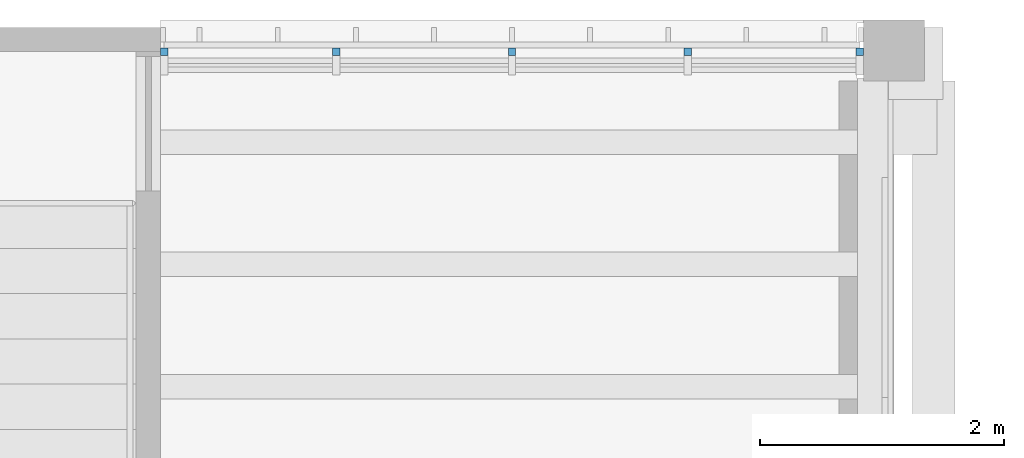
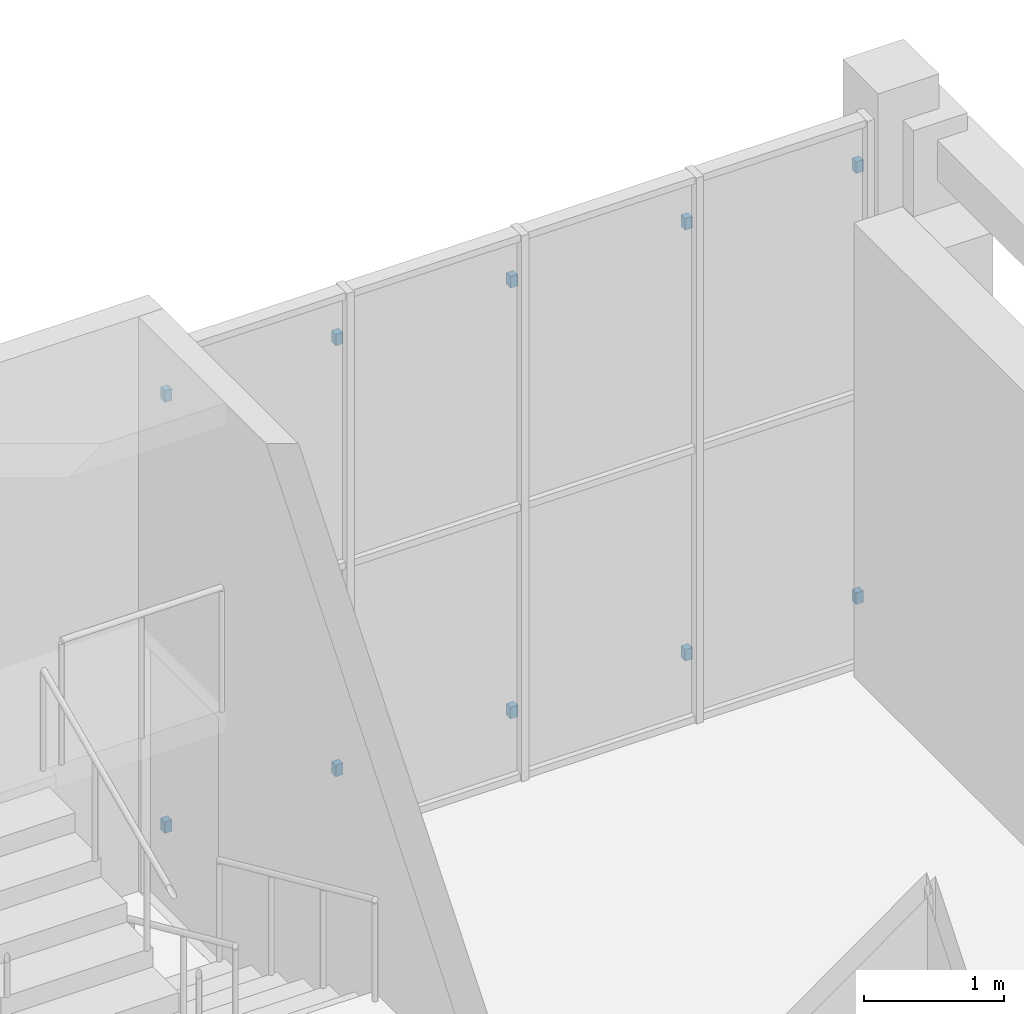
# One storey, part 55 of 80: 10 discrete accessories.
"""IFC4 building model written with IfcOpenShell, lengths in metres."""

from ifc_helpers import new_model, si_unit, direction, frame, origin, origin_2d, place, context, subcontext, project, spatial, rectangle, extrude, element, save


model = new_model("IFC4")

# Units and contexts
model_context = context("Model", 3, precision=1e-05, world=origin(), true_north=direction((0.0, 1.0)))
body_context = subcontext(model_context, "Body", "Model", "MODEL_VIEW")
ifc_project = project(units=[si_unit("LENGTHUNIT", "METRE"), si_unit("AREAUNIT", "SQUARE_METRE"), si_unit("VOLUMEUNIT", "CUBIC_METRE"), si_unit("PLANEANGLEUNIT", "RADIAN"), si_unit("MASSUNIT", "GRAM", prefix="KILO")], contexts=[model_context])

# Site, building, storey
site_placement = place(None, origin())
site = spatial("IfcSite", under=ifc_project, at=site_placement, CompositionType="ELEMENT")
building_placement = place(site_placement, origin())
building = spatial("IfcBuilding", under=site, at=building_placement, Name="Saffron Lane Theatres", CompositionType="ELEMENT")
storey_placement = place(building_placement, frame((0.0, 0.0, 7.0)))
storey = spatial("IfcBuildingStorey", under=building, at=storey_placement, Name="L01", CompositionType="ELEMENT", Elevation=7.0)

# Discrete accessories
for number, where, z_axis, x_axis, name in (
    (1, (6.030029296875, 125.739990234375, 0.449951171875), (0.0, 0.0, 1.0), (1.0, 0.0, 0.0), "Lattice bracket"),
    (2, (6.030029296875, 125.739990234375, 4.199951171875), (0.0, 0.0, 1.0), (1.0, 0.0, 0.0), "Lattice bracket"),
    (3, (7.4375, 125.739990234375, 0.449951171875), (0.0, 0.0, 1.0), (1.0, 0.0, 0.0), "Lattice bracket"),
    (4, (7.4375, 125.739990234375, 4.199951171875), (0.0, 0.0, 1.0), (1.0, 0.0, 0.0), "Lattice bracket"),
    (5, (8.875, 125.739990234375, 0.449951171875), (0.0, 0.0, 1.0), (1.0, 0.0, 0.0), "Lattice bracket"),
    (6, (8.875, 125.739990234375, 4.199951171875), (0.0, 0.0, 1.0), (1.0, 0.0, 0.0), "Lattice bracket"),
    (7, (10.3125, 125.739990234375, 0.449951171875), (0.0, 0.0, 1.0), (1.0, 0.0, 0.0), "Lattice bracket"),
    (8, (10.3125, 125.739990234375, 4.199951171875), (0.0, 0.0, 1.0), (1.0, 0.0, 0.0), "Lattice bracket"),
    (9, (11.719970703125, 125.739990234375, 0.449951171875), (0.0, 0.0, 1.0), (1.0, 0.0, 0.0), "Lattice bracket"),
    (10, (11.719970703125, 125.739990234375, 4.199951171875), (0.0, 0.0, 1.0), (1.0, 0.0, 0.0), "Lattice bracket"),
):
    element("IfcDiscreteAccessory", number, at=place(storey_placement, frame(where, z_axis=z_axis, x_axis=x_axis)), inside=storey, Name=name, PredefinedType="BRACKET", context=body_context, shape_type="SweptSolid", body=[
        extrude(rectangle(XDim=0.06005859375, YDim=0.06005859375, at=origin_2d()), origin(), (0.0, 0.0, 1.0), 0.10009765625),
    ])

save(model, "model.ifc")
